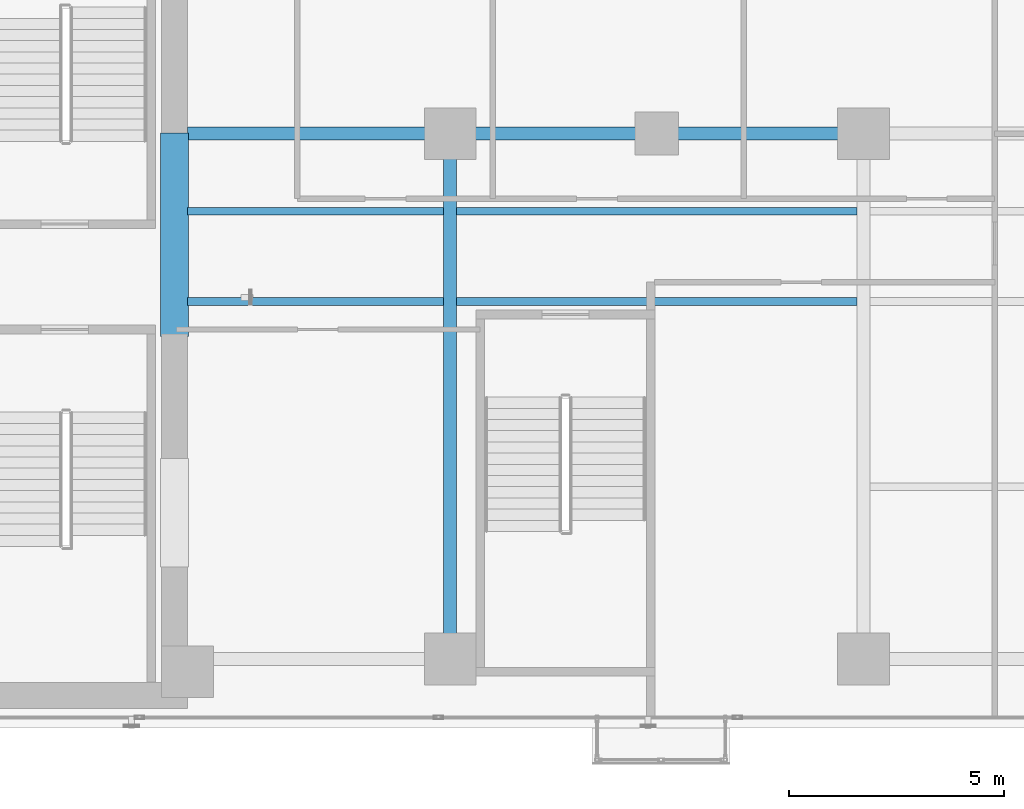
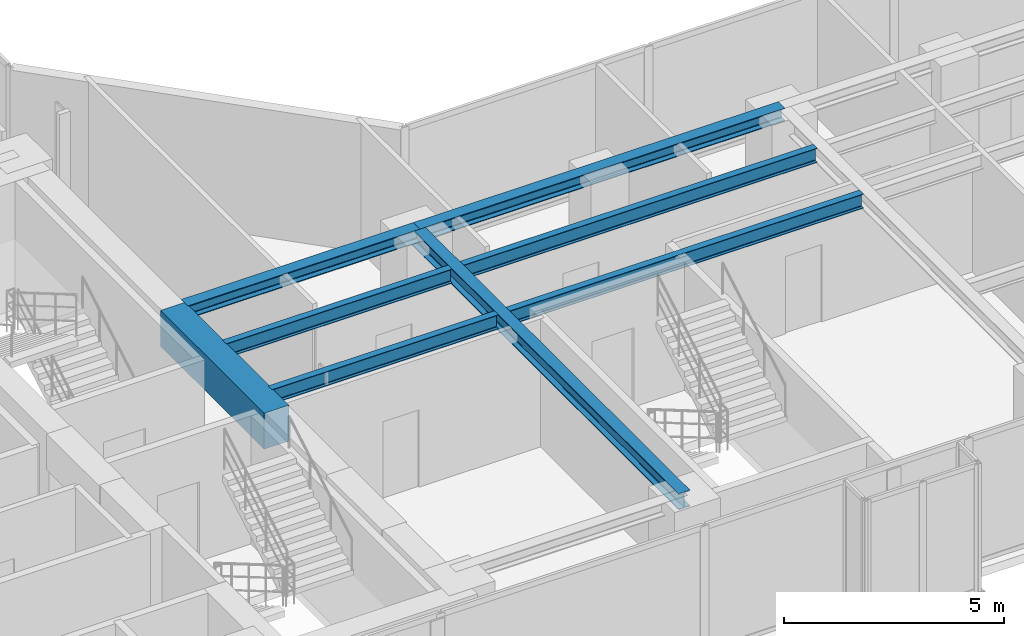
# One storey, part 5 of 24: 8 beams.
"""IFC4 building model written with IfcOpenShell, lengths in metres."""

from ifc_helpers import new_model, si_unit, direction, frame, origin, origin_2d, place, context, subcontext, project, spatial, rectangle, i_section, extrude, material, material_profile, profile_set, type_object, element, save


model = new_model("IFC4")

# Units and contexts
model_context = context("Model", 3, precision=1e-05, world=origin(), true_north=direction((0.0, 1.0)))
body_context = subcontext(model_context, "Body", "Model", "MODEL_VIEW")
ifc_project = project(units=[si_unit("LENGTHUNIT", "METRE"), si_unit("AREAUNIT", "SQUARE_METRE"), si_unit("VOLUMEUNIT", "CUBIC_METRE"), si_unit("PLANEANGLEUNIT", "RADIAN"), si_unit("MASSUNIT", "GRAM", prefix="KILO")], contexts=[model_context])

# Site, building, storey
site_placement = place(None, origin())
site = spatial("IfcSite", under=ifc_project, at=site_placement, CompositionType="ELEMENT")
building_placement = place(site_placement, origin())
building = spatial("IfcBuilding", under=site, at=building_placement, Name="Kolvaren Waterfront Exchange", CompositionType="ELEMENT")
storey_placement = place(building_placement, frame((0.0, 0.0, 157.60009765625)))
storey = spatial("IfcBuildingStorey", under=building, at=storey_placement, Name="L40", CompositionType="ELEMENT", Elevation=157.60009765625)

# Beams
ifc_material_1 = material(Name="Steel S355", Category="steel")
ifc_material_profile_1 = material_profile(ifc_material_1, i_section(OverallWidth=0.300048828125, OverallDepth=0.360107421875, WebThickness=0.012451171875, FlangeThickness=0.0224609375, FilletRadius=0.027099609375, at=origin_2d()), Name="HEB360")
ifc_profile_set_1 = profile_set([ifc_material_profile_1], Name="Steel S355")
beam_type_1 = type_object("IfcBeamType", Name="STR-BM-HEB360", PredefinedType="SPANDREL", material=ifc_profile_set_1)
beam_1_placement = place(storey_placement, frame((21.10009765625, 17.39990234375, 3.3798828125), z_axis=(1.0, 0.0, 0.0), x_axis=(0.0, 1.0, 0.0)))
element("IfcBeam", 1, at=beam_1_placement, inside=storey, type_object=beam_type_1, Name="L40 east-arm spandrel N1", PredefinedType="SPANDREL", context=body_context, shape_type="SweptSolid", body=[
    extrude(i_section(OverallWidth=0.300048828125, OverallDepth=0.360107421875, WebThickness=0.012451171875, FlangeThickness=0.0224609375, FilletRadius=0.027099609375, at=origin_2d()), origin(), (0.0, 0.0, 1.0), 6.099853515625),
])
beam_2_placement = place(storey_placement, frame((27.199951171875, 17.39990234375, 3.3798828125), z_axis=(1.0, 0.0, 0.0), x_axis=(0.0, 1.0, 0.0)))
element("IfcBeam", 2, at=beam_2_placement, inside=storey, type_object=beam_type_1, Name="L40 east-arm spandrel N2", PredefinedType="SPANDREL", context=body_context, shape_type="SweptSolid", body=[
    extrude(i_section(OverallWidth=0.300048828125, OverallDepth=0.360107421875, WebThickness=0.012451171875, FlangeThickness=0.0224609375, FilletRadius=0.027099609375, at=origin_2d()), origin(), (0.0, 0.0, 1.0), 9.60009765625),
])
ifc_material_profile_2 = material_profile(ifc_material_1, i_section(OverallWidth=0.300048828125, OverallDepth=0.449951171875, WebThickness=0.013916015625, FlangeThickness=0.02587890625, FilletRadius=0.027099609375, at=origin_2d()), Name="HEB450")
ifc_profile_set_2 = profile_set([ifc_material_profile_2], Name="Steel S355")
beam_type_2 = type_object("IfcBeamType", Name="STR-BM-HEB450", PredefinedType="BEAM", material=ifc_profile_set_2)
beam_3_placement = place(storey_placement, frame((27.199951171875, 5.199951171875, 3.3349609375), z_axis=(0.0, 1.0, 0.0), x_axis=(-1.0, 0.0, 0.0)))
element("IfcBeam", 3, at=beam_3_placement, inside=storey, type_object=beam_type_2, Name="L40 east-arm transverse girder X27", PredefinedType="BEAM", context=body_context, shape_type="SweptSolid", body=[
    extrude(i_section(OverallWidth=0.300048828125, OverallDepth=0.449951171875, WebThickness=0.013916015625, FlangeThickness=0.02587890625, FilletRadius=0.027099609375, at=origin_2d()), origin(), (0.0, 0.0, 1.0), 12.199951171875),
])
ifc_material_profile_3 = material_profile(ifc_material_1, i_section(OverallWidth=0.179931640625, OverallDepth=0.39990234375, WebThickness=0.008544921875, FlangeThickness=0.013427734375, FilletRadius=0.02099609375, at=origin_2d()), Name="IPE400")
ifc_profile_set_3 = profile_set([ifc_material_profile_3], Name="Steel S355")
beam_type_3 = type_object("IfcBeamType", Name="STR-BM-IPE400", PredefinedType="JOIST", material=ifc_profile_set_3)
for number, where, z_axis, x_axis, name in (
    (4, (21.10009765625, 13.5, 3.35986328125), (1.0, 0.0, 0.0), (0.0, 1.0, 0.0), "L40 east-arm composite joist 1A"),
    (5, (21.10009765625, 15.60009765625, 3.35986328125), (1.0, 0.0, 0.0), (0.0, 1.0, 0.0), "L40 east-arm composite joist 1C"),
):
    element("IfcBeam", number, at=place(storey_placement, frame(where, z_axis=z_axis, x_axis=x_axis)), inside=storey, type_object=beam_type_3, Name=name, PredefinedType="JOIST", context=body_context, shape_type="SweptSolid", body=[
        extrude(i_section(OverallWidth=0.179931640625, OverallDepth=0.39990234375, WebThickness=0.008544921875, FlangeThickness=0.013427734375, FilletRadius=0.02099609375, at=origin_2d()), origin(), (0.0, 0.0, 1.0), 5.947998046875),
    ])
for number, where, z_axis, x_axis, name in (
    (6, (27.35205078125, 13.5, 3.35986328125), (1.0, 0.0, 0.0), (0.0, 1.0, 0.0), "L40 east-arm composite joist 2A"),
    (7, (27.35205078125, 15.60009765625, 3.35986328125), (1.0, 0.0, 0.0), (0.0, 1.0, 0.0), "L40 east-arm composite joist 2C"),
):
    element("IfcBeam", number, at=place(storey_placement, frame(where, z_axis=z_axis, x_axis=x_axis)), inside=storey, type_object=beam_type_3, Name=name, PredefinedType="JOIST", context=body_context, shape_type="SweptSolid", body=[
        extrude(i_section(OverallWidth=0.179931640625, OverallDepth=0.39990234375, WebThickness=0.008544921875, FlangeThickness=0.013427734375, FilletRadius=0.02099609375, at=origin_2d()), origin(), (0.0, 0.0, 1.0), 9.2958984375),
    ])
ifc_material_2 = material(Name="Concrete C60/75", Category="concrete")
ifc_material_profile_4 = material_profile(ifc_material_2, rectangle(XDim=0.64990234375, YDim=1.0, at=origin_2d()), Name="RC-CB-1000x650")
ifc_profile_set_4 = profile_set([ifc_material_profile_4], Name="Concrete C60/75")
beam_type_4 = type_object("IfcBeamType", Name="STR-CB-1000", PredefinedType="SPANDREL", material=ifc_profile_set_4)
beam_4_placement = place(storey_placement, frame((20.800048828125, 12.68994140625, 3.059814453125), z_axis=(0.0, 1.0, 0.0), x_axis=(-1.0, 0.0, 0.0)))
element("IfcBeam", 8, at=beam_4_placement, inside=storey, type_object=beam_type_4, Name="L40 core coupling beam 2", PredefinedType="SPANDREL", context=body_context, shape_type="SweptSolid", body=[
    extrude(rectangle(XDim=0.64990234375, YDim=1.0, at=origin_2d()), origin(), (0.0, 0.0, 1.0), 4.719970703125),
])

save(model, "model.ifc")
